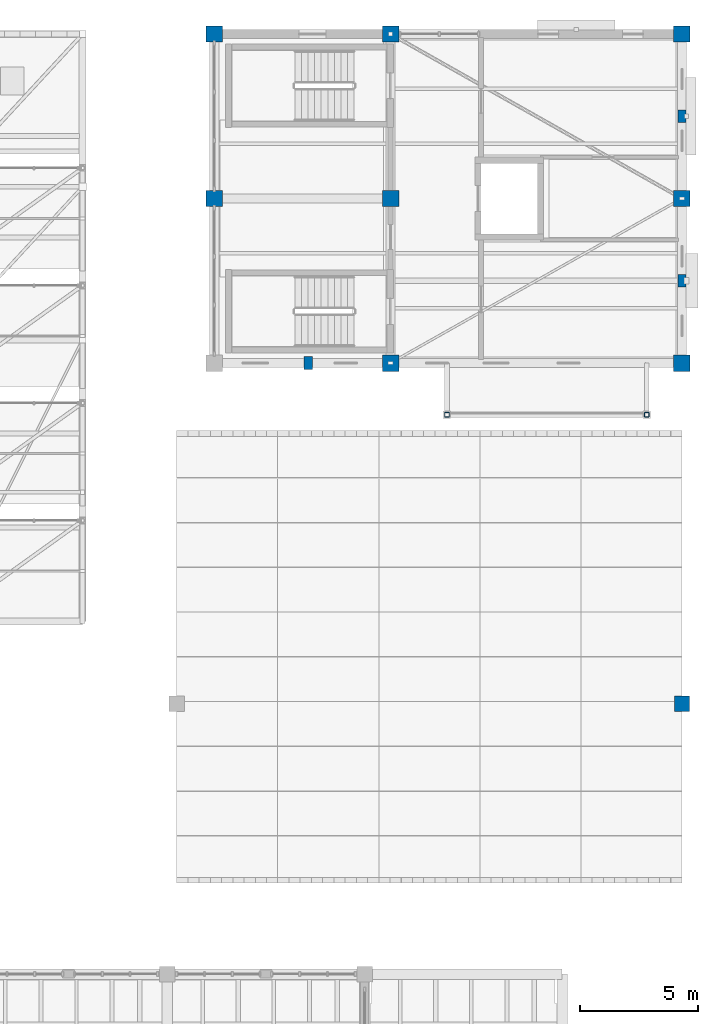
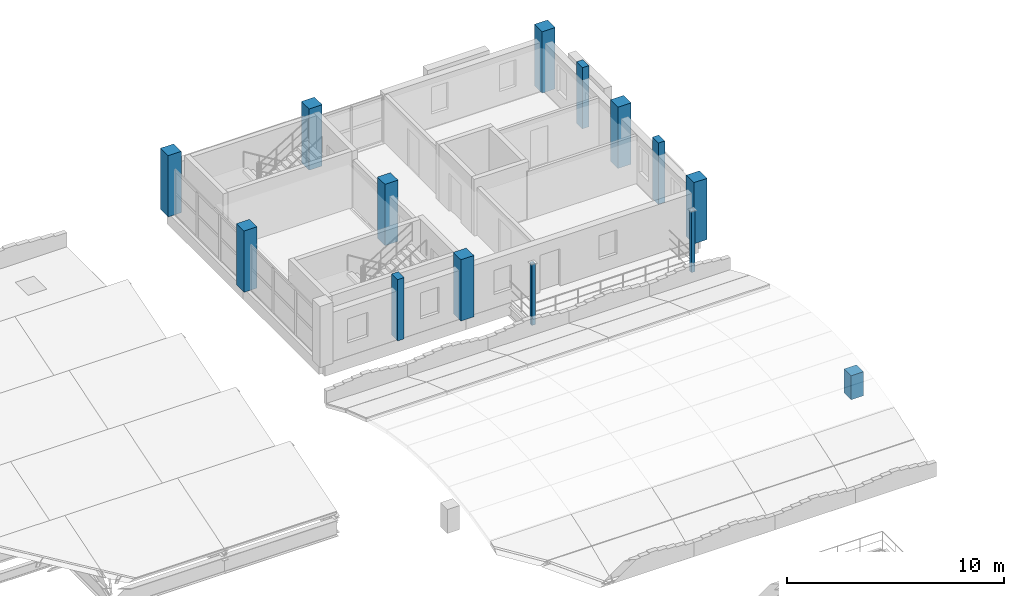
# One storey, part 2 of 48: 14 columns.
"""IFC4 building model written with IfcOpenShell, lengths in metres."""

import ifcopenshell
import ifcopenshell.guid

model = None  # the IFC model being written
_history = None  # IfcOwnerHistory: only IFC2X3 demands one
_inside = {}  # id of a spatial element -> (the spatial element, [elements in it])
_under = {}  # id of a project, library or spatial element -> (it, [spatial elements below it])
_declared = {}  # id of a project -> (the project, [libraries it declares])
_typed = {}  # id of a type object -> (the type object, [elements of that type])
_made_of = {}  # id of a material, layer set ... -> (it, [elements and type objects made of it])


def new_model(schema):
    """Start an empty IFC model of exactly this schema.

    Asked for "IFC4X3", IfcOpenShell would pick the latest addendum, in which some entities
    have other attributes; the version numbers below select the first issue.
    IFC2X3 requires an IfcOwnerHistory on every rooted entity: one is made here for all.
    """
    global model, _history
    if schema == "IFC4X3":
        model = ifcopenshell.file(schema_version=(4, 3, 0, 0))
    else:
        model = ifcopenshell.file(schema=schema)
    _inside.clear()
    _under.clear()
    _declared.clear()
    _typed.clear()
    _made_of.clear()
    _history = None
    if model.schema == "IFC2X3":
        org = make("IfcOrganization", Name="unknown")
        user = make(
            "IfcPersonAndOrganization",
            ThePerson=make("IfcPerson", FamilyName="unknown"),
            TheOrganization=org,
        )
        app = make(
            "IfcApplication",
            ApplicationDeveloper=org,
            Version="unknown",
            ApplicationFullName="unknown",
            ApplicationIdentifier="unknown",
        )
        _history = make(
            "IfcOwnerHistory",
            OwningUser=user,
            OwningApplication=app,
            ChangeAction="ADDED",
            CreationDate=0,
        )
    return model


def make(cls, **values):
    """One entity of the class cls with the attributes given. An attribute that is None is left unset."""
    return model.create_entity(
        cls, **{name: value for name, value in values.items() if value is not None}
    )


def rooted(cls, **values):
    """An entity with a GlobalId (a new one), such as an element, a storey or a relation."""
    return make(cls, GlobalId=ifcopenshell.guid.new(), OwnerHistory=_history, **values)


def si_unit(unit_type, name, prefix=None):
    """IfcSIUnit, for example si_unit("LENGTHUNIT", "METRE", prefix="MILLI")."""
    return make("IfcSIUnit", UnitType=unit_type, Prefix=prefix, Name=name)


def assignment(units):
    """IfcUnitAssignment: the units of a project."""
    return None if units is None else make("IfcUnitAssignment", Units=units)


def point(xyz):
    """IfcCartesianPoint."""
    return None if xyz is None else make("IfcCartesianPoint", Coordinates=xyz)


def direction(xyz):
    """IfcDirection."""
    return None if xyz is None else make("IfcDirection", DirectionRatios=xyz)


def frame(location, z_axis=None, x_axis=None):
    """IfcAxis2Placement3D, a coordinate frame: its origin and axes. An axis left out is left unset."""
    return make(
        "IfcAxis2Placement3D",
        Location=point(location),
        Axis=direction(z_axis),
        RefDirection=direction(x_axis),
    )


def frame_2d(location, x_axis=None):
    """IfcAxis2Placement2D, a coordinate frame in the plane: its origin and x axis."""
    return make(
        "IfcAxis2Placement2D", Location=point(location), RefDirection=direction(x_axis)
    )


def origin():
    """The frame at (0, 0, 0) with its axes left unset."""
    return frame((0.0, 0.0, 0.0))


def origin_2d():
    """The frame at (0, 0) in the plane with its x axis left unset."""
    return frame_2d((0.0, 0.0))


def place(relative_to, where):
    """IfcLocalPlacement: puts the frame where relative to a parent placement (None: the world)."""
    return make(
        "IfcLocalPlacement", PlacementRelTo=relative_to, RelativePlacement=where
    )


def context(
    kind, dimensions, precision=None, world=None, true_north=None, identifier=None
):
    """IfcGeometricRepresentationContext, for example the 3D "Model" context."""
    return make(
        "IfcGeometricRepresentationContext",
        ContextIdentifier=identifier,
        ContextType=kind,
        CoordinateSpaceDimension=dimensions,
        Precision=precision,
        WorldCoordinateSystem=world,
        TrueNorth=true_north,
    )


def subcontext(parent, identifier, kind, view, scale=None):
    """IfcGeometricRepresentationSubContext, for example "Body" below "Model"."""
    return make(
        "IfcGeometricRepresentationSubContext",
        ContextIdentifier=identifier,
        ContextType=kind,
        ParentContext=parent,
        TargetScale=scale,
        TargetView=view,
    )


def project(units=None, contexts=None):
    """IfcProject with its units and contexts."""
    return rooted(
        "IfcProject",
        Name="project",
        RepresentationContexts=contexts,
        UnitsInContext=assignment(units),
    )


def spatial(cls, under=None, at=None, **own):
    """A site, building, storey or space (cls), placed at a placement, below another one or the project."""
    s = rooted(cls, ObjectPlacement=at, **own)
    if under is not None:
        _under.setdefault(under.id(), (under, []))[1].append(s)
    return s


def profile(cls, at=None, kind="AREA", **sizes):
    """A parametric profile (cls). Its sizes go by their IFC names, for example OverallWidth=200.0."""
    return make(cls, ProfileType=kind, Position=at, **sizes)


def rectangle(**sizes):
    """IfcRectangleProfileDef."""
    return profile("IfcRectangleProfileDef", **sizes)


def hollow_rectangle(**sizes):
    """IfcRectangleHollowProfileDef."""
    return profile("IfcRectangleHollowProfileDef", **sizes)


def extrude(swept, where, along, depth):
    """IfcExtrudedAreaSolid: the profile swept, set in the frame where, extruded along a direction by depth."""
    return make(
        "IfcExtrudedAreaSolid",
        SweptArea=swept,
        Position=where,
        ExtrudedDirection=direction(along),
        Depth=depth,
    )


def shape(context_of_items, identifier, shape_type, items):
    """IfcShapeRepresentation: the items that make up one representation, for example the "Body"."""
    return make(
        "IfcShapeRepresentation",
        ContextOfItems=context_of_items,
        RepresentationIdentifier=identifier,
        RepresentationType=shape_type,
        Items=items,
    )


def material(Name=None, Category=None):
    """IfcMaterial."""
    return make("IfcMaterial", Name=Name, Category=Category)


def material_profile(
    of_material, cross_section, Name=None, Category=None, Priority=None
):
    """IfcMaterialProfile: a cross section and its material."""
    return make(
        "IfcMaterialProfile",
        Name=Name,
        Material=of_material,
        Profile=cross_section,
        Priority=Priority,
        Category=Category,
    )


def profile_set(profiles, Name=None, composite=None):
    """IfcMaterialProfileSet."""
    return make(
        "IfcMaterialProfileSet",
        Name=Name,
        MaterialProfiles=profiles,
        CompositeProfile=composite,
    )


def made_of(thing, what):
    """Note that an element or type object is made of a material, layer set ...; save() writes the relation."""
    if what is not None:
        _made_of.setdefault(what.id(), (what, []))[1].append(thing)
    return thing


def type_object(cls, material=None, **own):
    """A type object (cls), such as IfcWallType, which elements share."""
    return made_of(rooted(cls, **own), material)


def element(
    cls,
    number,
    at=None,
    inside=None,
    cuts=None,
    type_object=None,
    material=None,
    context=None,
    identifier="Body",
    shape_type=None,
    held_by="IfcProductDefinitionShape",
    body=None,
    shapes=None,
    **own,
):
    """One element of the class cls, such as IfcWall. Its Tag is "e" and its number.

    at: its placement. inside: the storey or other place that contains it. cuts: it is an
    opening in that element (IfcRelVoidsElement). A single representation is given by context,
    identifier, shape_type and body (its items); several are given by shapes. held_by: the class
    of the entity that holds the representations. save() writes the other relations.
    """
    e = rooted(cls, Tag="e%d" % number, ObjectPlacement=at, **own)
    if body is not None:
        shapes = [shape(context, identifier, shape_type, body)]
    if shapes is not None:
        e.Representation = make(held_by, Representations=shapes)
    if inside is not None:
        _inside.setdefault(inside.id(), (inside, []))[1].append(e)
    if cuts is not None:
        rooted(
            "IfcRelVoidsElement", RelatingBuildingElement=cuts, RelatedOpeningElement=e
        )
    if type_object is not None:
        _typed.setdefault(type_object.id(), (type_object, []))[1].append(e)
    return made_of(e, material)


def aggregate(whole, parts):
    """IfcRelAggregates: a whole, such as a stair, and the parts it consists of."""
    return rooted("IfcRelAggregates", RelatingObject=whole, RelatedObjects=parts)


def save(model, path):
    """Write the relations noted so far, then the file.

    IfcRelAggregates (storeys below a building ...), IfcRelContainedInSpatialStructure (elements
    in a storey), IfcRelDefinesByType, IfcRelAssociatesMaterial and IfcRelDeclares: one each for
    every whole, place, type object, material and project.
    """
    for whole, parts in _under.values():
        aggregate(whole, parts)
    for where, things in _inside.values():
        rooted(
            "IfcRelContainedInSpatialStructure",
            RelatedElements=things,
            RelatingStructure=where,
        )
    for kind, things in _typed.values():
        rooted("IfcRelDefinesByType", RelatedObjects=things, RelatingType=kind)
    for what, things in _made_of.values():
        rooted("IfcRelAssociatesMaterial", RelatedObjects=things, RelatingMaterial=what)
    for by, libraries in _declared.values():
        rooted("IfcRelDeclares", RelatingContext=by, RelatedDefinitions=libraries)
    model.write(path)


model = new_model("IFC4")

# Units and contexts
model_context = context("Model", 3, precision=1e-05, world=origin(), true_north=direction((0.0, 1.0)))
body_context = subcontext(model_context, "Body", "Model", "MODEL_VIEW")
ifc_project = project(units=[si_unit("LENGTHUNIT", "METRE"), si_unit("AREAUNIT", "SQUARE_METRE"), si_unit("VOLUMEUNIT", "CUBIC_METRE"), si_unit("PLANEANGLEUNIT", "RADIAN"), si_unit("MASSUNIT", "GRAM", prefix="KILO")], contexts=[model_context])

# Site, building, storey
site_placement = place(None, origin())
site = spatial("IfcSite", under=ifc_project, at=site_placement, CompositionType="ELEMENT")
building_placement = place(site_placement, origin())
building = spatial("IfcBuilding", under=site, at=building_placement, Name="Trellovar Central Fire Station", CompositionType="ELEMENT")
storey_placement = place(building_placement, frame((0.0, 0.0, 9.300048828125)))
storey = spatial("IfcBuildingStorey", under=building, at=storey_placement, Name="L03", CompositionType="ELEMENT", Elevation=9.300048828125)

# Columns
ifc_material_1 = material(Name="Concrete C40/50", Category="concrete")
ifc_material_profile_1 = material_profile(ifc_material_1, rectangle(XDim=0.699951171875, YDim=0.699951171875, at=origin_2d()), Name="RC700X700")
ifc_profile_set_1 = profile_set([ifc_material_profile_1], Name="Concrete C40/50")
column_type_1 = type_object("IfcColumnType", Name="COL-C4", PredefinedType="COLUMN", material=ifc_profile_set_1)
for number, where, z_axis, x_axis, name in (
    (1, (141.10009765625, 66.0, 0.0), (0.0, 0.0, 1.0), (1.0, 0.0, 0.0), "L03 column C-4"),
    (2, (141.10009765625, 73.0, 0.0), (0.0, 0.0, 1.0), (1.0, 0.0, 0.0), "L03 column C-4"),
    (3, (148.60009765625, 59.0, 0.0), (0.0, 0.0, 1.0), (1.0, 0.0, 0.0), "L03 column C-4"),
    (4, (148.60009765625, 66.0, 0.0), (0.0, 0.0, 1.0), (1.0, 0.0, 0.0), "L03 column C-4"),
    (5, (148.60009765625, 73.0, 0.0), (0.0, 0.0, 1.0), (1.0, 0.0, 0.0), "L03 column C-4"),
    (6, (161.0, 59.0, 0.0), (0.0, 0.0, 1.0), (1.0, 0.0, 0.0), "L03 column C-4"),
    (7, (161.0, 66.0, 0.0), (0.0, 0.0, 1.0), (1.0, 0.0, 0.0), "L03 column C-4"),
    (8, (161.0, 73.0, 0.0), (0.0, 0.0, 1.0), (1.0, 0.0, 0.0), "L03 column C-4"),
):
    element("IfcColumn", number, at=place(storey_placement, frame(where, z_axis=z_axis, x_axis=x_axis)), inside=storey, type_object=column_type_1, Name=name, PredefinedType="COLUMN", context=body_context, shape_type="SweptSolid", body=[
        extrude(rectangle(XDim=0.699951171875, YDim=0.699951171875, at=origin_2d()), origin(), (0.0, 0.0, 1.0), 3.449951171875),
    ])
ifc_material_2 = material(Name="Concrete C40/50", Category="concrete")
ifc_material_profile_2 = material_profile(ifc_material_2, rectangle(XDim=0.64990234375, YDim=0.64990234375, at=origin_2d()), Name="RC650X650")
ifc_profile_set_2 = profile_set([ifc_material_profile_2], Name="Concrete C40/50")
column_type_2 = type_object("IfcColumnType", Name="COL-C5", PredefinedType="COLUMN", material=ifc_profile_set_2)
column_placement = place(storey_placement, frame((161.0, 44.5, 0.0), z_axis=(0.0, 0.0, 1.0), x_axis=(1.0, 0.0, 0.0)))
element("IfcColumn", 9, at=column_placement, inside=storey, type_object=column_type_2, Name="L03 column C-5", PredefinedType="COLUMN", context=body_context, shape_type="SweptSolid", body=[
    extrude(rectangle(XDim=0.64990234375, YDim=0.64990234375, at=origin_2d()), origin(), (0.0, 0.0, 1.0), 1.349853515625),
])
ifc_material_3 = material(Name="Concrete C40/50", Category="concrete")
ifc_material_profile_3 = material_profile(ifc_material_3, rectangle(XDim=0.35009765625, YDim=0.550048828125, at=origin_2d()), Name="RC350X550")
ifc_profile_set_3 = profile_set([ifc_material_profile_3], Name="Concrete C40/50")
column_type_3 = type_object("IfcColumnType", Name="COL-PIL2", PredefinedType="PILASTER", material=ifc_profile_set_3)
for number, where, z_axis, x_axis, name in (
    (10, (145.10009765625, 59.0, 0.0), (0.0, 0.0, 1.0), (1.0, 0.0, 0.0), "V2 drill tower vertical buttress fin L03-1"),
    (11, (161.0, 62.5, 0.0), (0.0, 0.0, 1.0), (1.0, 0.0, 0.0), "V2 drill tower vertical buttress fin L03-2"),
    (12, (161.0, 69.5, 0.0), (0.0, 0.0, 1.0), (1.0, 0.0, 0.0), "V2 drill tower vertical buttress fin L03-3"),
):
    element("IfcColumn", number, at=place(storey_placement, frame(where, z_axis=z_axis, x_axis=x_axis)), inside=storey, type_object=column_type_3, Name=name, PredefinedType="PILASTER", context=body_context, shape_type="SweptSolid", body=[
        extrude(rectangle(XDim=0.35009765625, YDim=0.550048828125, at=origin_2d()), origin(), (0.0, 0.0, 1.0), 3.449951171875),
    ])
ifc_material_4 = material(Name="Steel ASTM A500 Grade C", Category="steel")
ifc_material_profile_4 = material_profile(ifc_material_4, hollow_rectangle(XDim=0.203125, YDim=0.203125, WallThickness=0.01171875, InnerFilletRadius=0.01171875, OuterFilletRadius=0.023681640625, at=origin_2d()), Name="HSS8X8X1/2")
ifc_profile_set_4 = profile_set([ifc_material_profile_4], Name="Steel ASTM A500 Grade C")
column_type_4 = type_object("IfcColumnType", Name="COL-SC5", PredefinedType="COLUMN", material=ifc_profile_set_4)
for number, where, z_axis, x_axis, name in (
    (13, (151.0, 56.800048828125, 0.0), (0.0, 0.0, 1.0), (1.0, 0.0, 0.0), "V2 L03 training balcony support post"),
    (14, (159.5, 56.800048828125, 0.0), (0.0, 0.0, 1.0), (1.0, 0.0, 0.0), "V2 L03 training balcony support post"),
):
    element("IfcColumn", number, at=place(storey_placement, frame(where, z_axis=z_axis, x_axis=x_axis)), inside=storey, type_object=column_type_4, Name=name, PredefinedType="COLUMN", context=body_context, shape_type="SweptSolid", body=[
        extrude(hollow_rectangle(XDim=0.203125, YDim=0.203125, WallThickness=0.01171875, InnerFilletRadius=0.01171875, OuterFilletRadius=0.023681640625, at=origin_2d()), origin(), (0.0, 0.0, 1.0), 3.449951171875),
    ])

save(model, "model.ifc")
